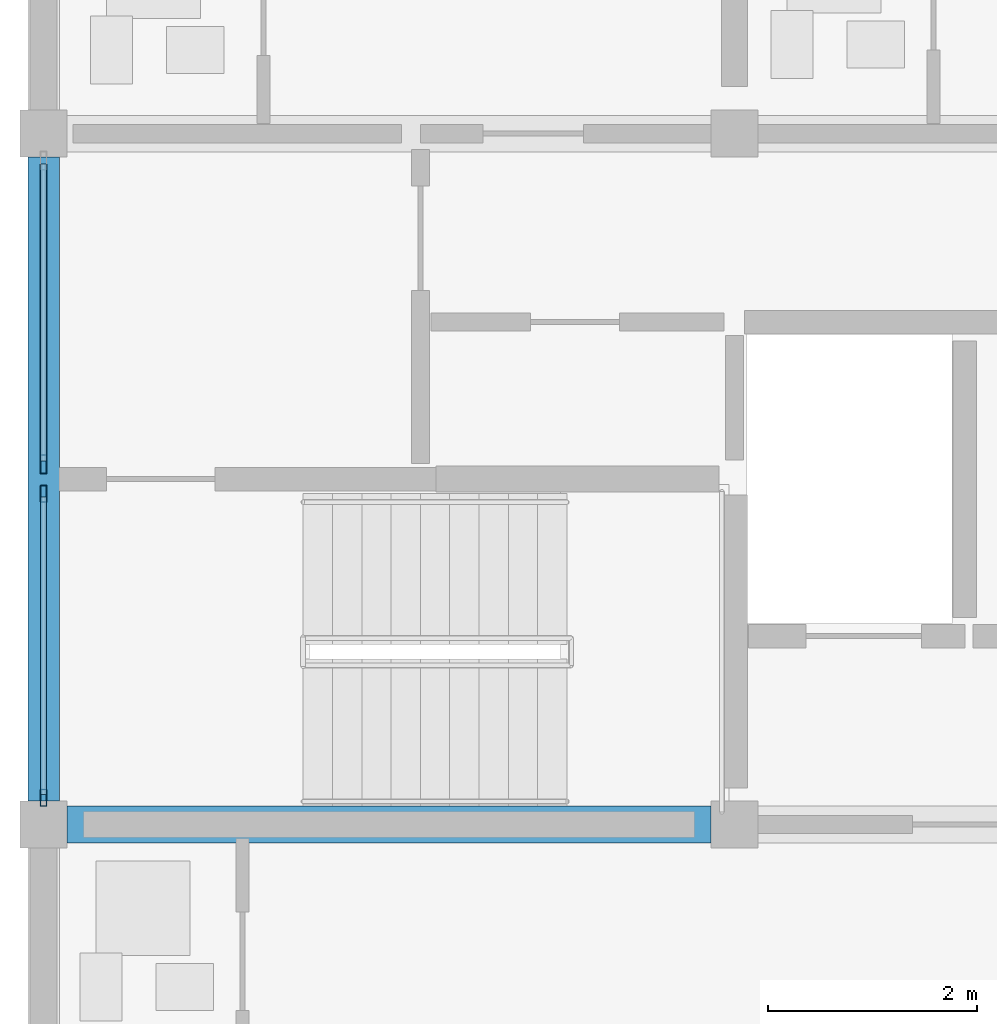
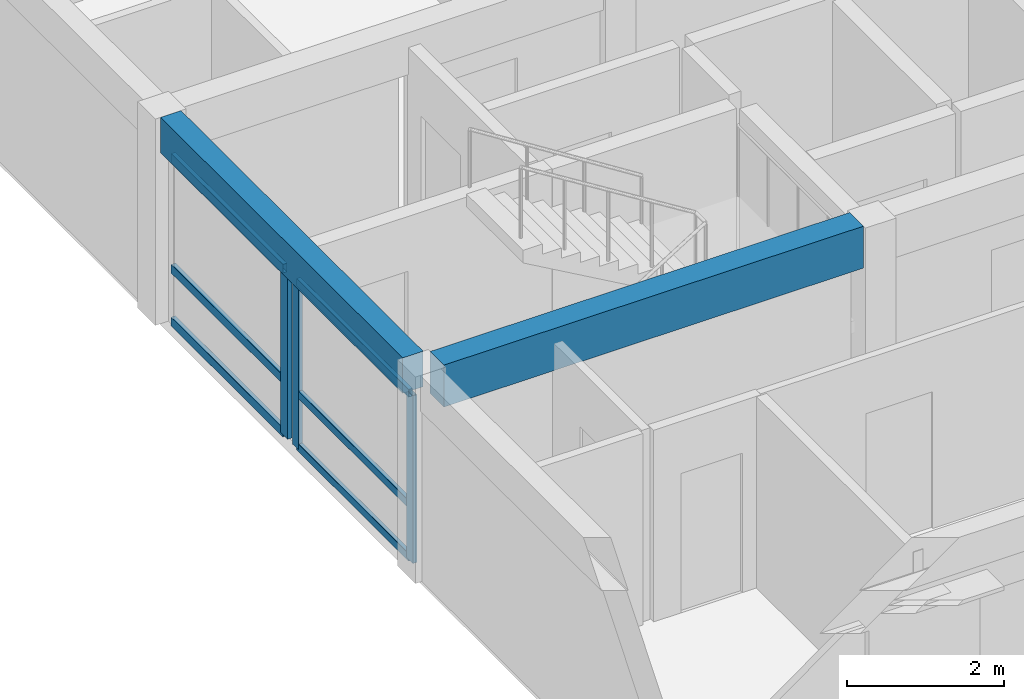
# One storey, part 8 of 37: 9 members, 2 beams, 2 elements without a shape of their own.
"""IFC4 building model written with IfcOpenShell, lengths in metres."""

from ifc_helpers import new_model, si_unit, direction, frame, origin, origin_2d, place, context, subcontext, project, spatial, rectangle, hollow_rectangle, extrude, material, material_profile, profile_set, type_object, element, aggregate, save


model = new_model("IFC4")

# Units and contexts
model_context = context("Model", 3, precision=1e-05, world=origin(), true_north=direction((0.0, 1.0)))
body_context = subcontext(model_context, "Body", "Model", "MODEL_VIEW")
ifc_project = project(units=[si_unit("LENGTHUNIT", "METRE"), si_unit("AREAUNIT", "SQUARE_METRE"), si_unit("VOLUMEUNIT", "CUBIC_METRE"), si_unit("PLANEANGLEUNIT", "RADIAN"), si_unit("MASSUNIT", "GRAM", prefix="KILO")], contexts=[model_context])

# Site, building, storey
site_placement = place(None, origin())
site = spatial("IfcSite", under=ifc_project, at=site_placement, CompositionType="ELEMENT")
building_placement = place(site_placement, origin())
building = spatial("IfcBuilding", under=site, at=building_placement, Name="Kernevlak Ridge Housing Community", CompositionType="ELEMENT")
storey_placement = place(building_placement, frame((0.0, 0.0, 37.199951171875)))
storey = spatial("IfcBuildingStorey", under=building, at=storey_placement, Name="L11", CompositionType="ELEMENT", Elevation=37.199951171875)

# Beam
ifc_material_1 = material(Name="Concrete C35/45", Category="concrete")
ifc_material_profile_1 = material_profile(ifc_material_1, rectangle(XDim=0.35009765625, YDim=0.64990234375, at=origin_2d()), Name="RC 350x650")
ifc_profile_set_1 = profile_set([ifc_material_profile_1], Name="Concrete C35/45")
beam_type_1 = type_object("IfcBeamType", Name="B-02", PredefinedType="BEAM", material=ifc_profile_set_1)
beam_1_placement = place(storey_placement, frame((15.824951171875, 82.60009765625, 2.875), z_axis=(1.0, 0.0, 0.0), x_axis=(0.0, 1.0, 0.0)))
element("IfcBeam", 1, at=beam_1_placement, inside=storey, type_object=beam_type_1, Name="Beam B-02 L11 348", PredefinedType="BEAM", context=body_context, shape_type="SweptSolid", body=[
    extrude(rectangle(XDim=0.35009765625, YDim=0.64990234375, at=origin_2d()), origin(), (0.0, 0.0, 1.0), 6.150146484375),
])

# Curtain wall, members
ifc_material_2 = material(Name="Aluminium EN AW-6060 anodised and laminated glass", Category="aluminium")
curtain_wall_type_1 = type_object("IfcCurtainWallType", Name="CW-01", PredefinedType="NOTDEFINED", material=ifc_material_2)
curtain_wall_1_placement = place(storey_placement, origin())
curtain_wall_1 = element("IfcCurtainWall", 2, at=curtain_wall_1_placement, inside=storey, type_object=curtain_wall_type_1, Name="Curtain wall CW-01 CW-L11-034", PredefinedType="NOTDEFINED")
ifc_material_3 = material(Name="Aluminium EN AW-6060 anodised", Category="aluminium")
ifc_material_profile_2 = material_profile(ifc_material_3, hollow_rectangle(XDim=0.06005859375, YDim=0.159912109375, WallThickness=0.00390625, InnerFilletRadius=0.001953125, OuterFilletRadius=0.00390625, at=origin_2d()), Name="ALU 60x160x4")
ifc_profile_set_2 = profile_set([ifc_material_profile_2], Name="Aluminium EN AW-6060 anodised")
member_type_1 = type_object("IfcMemberType", Name="MU-02", PredefinedType="MULLION", material=ifc_profile_set_2)
member_1_placement = place(storey_placement, frame((15.60009765625, 82.85498046875, 0.0), z_axis=(0.0, 0.0, 1.0), x_axis=(-1.0, 0.0, 0.0)))
member_1 = element("IfcMember", 3, at=member_1_placement, type_object=member_type_1, Name="CW-01 mullion 1", PredefinedType="MULLION", context=body_context, shape_type="SweptSolid", body=[
    extrude(hollow_rectangle(XDim=0.06005859375, YDim=0.159912109375, WallThickness=0.00390625, InnerFilletRadius=0.001953125, OuterFilletRadius=0.00390625, at=origin_2d()), origin(), (0.0, 0.0, 1.0), 2.60009765625),
])
member_2_placement = place(storey_placement, frame((15.60009765625, 85.760009765625, 0.0), z_axis=(0.0, 0.0, 1.0), x_axis=(-1.0, 0.0, 0.0)))
member_2 = element("IfcMember", 4, at=member_2_placement, type_object=member_type_1, Name="CW-01 mullion 2", PredefinedType="MULLION", context=body_context, shape_type="SweptSolid", body=[
    extrude(hollow_rectangle(XDim=0.06005859375, YDim=0.159912109375, WallThickness=0.00390625, InnerFilletRadius=0.001953125, OuterFilletRadius=0.00390625, at=origin_2d()), origin(), (0.0, 0.0, 1.0), 2.60009765625),
])

# Curtain wall, member
curtain_wall_type_2 = type_object("IfcCurtainWallType", Name="CW-06", PredefinedType="NOTDEFINED", material=ifc_material_2)
curtain_wall_2_placement = place(storey_placement, origin())
curtain_wall_2 = element("IfcCurtainWall", 5, at=curtain_wall_2_placement, inside=storey, type_object=curtain_wall_type_2, Name="Curtain wall CW-06 CW-L11-035", PredefinedType="NOTDEFINED")
ifc_material_profile_3 = material_profile(ifc_material_3, hollow_rectangle(XDim=0.06494140625, YDim=0.179931640625, WallThickness=0.00439453125, InnerFilletRadius=0.001953125, OuterFilletRadius=0.00439453125, at=origin_2d()), Name="ALU 65x180x4.5")
ifc_profile_set_3 = profile_set([ifc_material_profile_3], Name="Aluminium EN AW-6060 anodised")
member_type_2 = type_object("IfcMemberType", Name="MU-03", PredefinedType="MULLION", material=ifc_profile_set_3)
member_3_placement = place(storey_placement, frame((15.60009765625, 86.04248046875, 0.0), z_axis=(0.0, 0.0, 1.0), x_axis=(-1.0, 0.0, 0.0)))
member_3 = element("IfcMember", 6, at=member_3_placement, type_object=member_type_2, Name="CW-06 mullion 1", PredefinedType="MULLION", context=body_context, shape_type="SweptSolid", body=[
    extrude(hollow_rectangle(XDim=0.06494140625, YDim=0.179931640625, WallThickness=0.00439453125, InnerFilletRadius=0.001953125, OuterFilletRadius=0.00439453125, at=origin_2d()), origin(), (0.0, 0.0, 1.0), 2.60009765625),
])

# Beam
ifc_material_profile_4 = material_profile(ifc_material_1, rectangle(XDim=0.300048828125, YDim=0.550048828125, at=origin_2d()), Name="RC 300x550")
ifc_profile_set_4 = profile_set([ifc_material_profile_4], Name="Concrete C35/45")
beam_type_2 = type_object("IfcBeamType", Name="SP-01", PredefinedType="SPANDREL", material=ifc_profile_set_4)
beam_2_placement = place(storey_placement, frame((15.60009765625, 82.824951171875, 2.925048828125), z_axis=(0.0, 1.0, 0.0), x_axis=(-1.0, 0.0, 0.0)))
element("IfcBeam", 7, at=beam_2_placement, inside=storey, type_object=beam_type_2, Name="Beam SP-01 L11 364", PredefinedType="SPANDREL", context=body_context, shape_type="SweptSolid", body=[
    extrude(rectangle(XDim=0.300048828125, YDim=0.550048828125, at=origin_2d()), origin(), (0.0, 0.0, 1.0), 6.150146484375),
])

# Member
ifc_material_profile_5 = material_profile(ifc_material_3, hollow_rectangle(XDim=0.06005859375, YDim=0.1201171875, WallThickness=0.00390625, InnerFilletRadius=0.001953125, OuterFilletRadius=0.00390625, at=origin_2d()), Name="ALU 60x120x4")
ifc_profile_set_5 = profile_set([ifc_material_profile_5], Name="Aluminium EN AW-6060 anodised")
member_type_3 = type_object("IfcMemberType", Name="TM-02", PredefinedType="USERDEFINED", material=ifc_profile_set_5)
member_4_placement = place(storey_placement, frame((15.60009765625, 82.885009765625, 0.030029296875), z_axis=(0.0, 1.0, 0.0), x_axis=(-1.0, 0.0, 0.0)))
member_4 = element("IfcMember", 8, at=member_4_placement, type_object=member_type_3, Name="CW-01 transom 1.1", ObjectType="TRANSOM", PredefinedType="USERDEFINED", context=body_context, shape_type="SweptSolid", body=[
    extrude(hollow_rectangle(XDim=0.06005859375, YDim=0.1201171875, WallThickness=0.00390625, InnerFilletRadius=0.001953125, OuterFilletRadius=0.00390625, at=origin_2d()), origin(), (0.0, 0.0, 1.0), 2.844970703125),
])

member_5_placement = place(storey_placement, frame((15.60009765625, 82.885009765625, 0.85009765625), z_axis=(0.0, 1.0, 0.0), x_axis=(-1.0, 0.0, 0.0)))
member_5 = element("IfcMember", 9, at=member_5_placement, type_object=member_type_3, Name="CW-01 transom 1.2", ObjectType="TRANSOM", PredefinedType="USERDEFINED", context=body_context, shape_type="SweptSolid", body=[
    extrude(hollow_rectangle(XDim=0.06005859375, YDim=0.1201171875, WallThickness=0.00390625, InnerFilletRadius=0.001953125, OuterFilletRadius=0.00390625, at=origin_2d()), origin(), (0.0, 0.0, 1.0), 2.844970703125),
])

member_6_placement = place(storey_placement, frame((15.60009765625, 82.885009765625, 2.570068359375), z_axis=(0.0, 1.0, 0.0), x_axis=(-1.0, 0.0, 0.0)))
member_6 = element("IfcMember", 10, at=member_6_placement, type_object=member_type_3, Name="CW-01 transom 1.3", ObjectType="TRANSOM", PredefinedType="USERDEFINED", context=body_context, shape_type="SweptSolid", body=[
    extrude(hollow_rectangle(XDim=0.06005859375, YDim=0.1201171875, WallThickness=0.00390625, InnerFilletRadius=0.001953125, OuterFilletRadius=0.00390625, at=origin_2d()), origin(), (0.0, 0.0, 1.0), 2.844970703125),
])

aggregate(curtain_wall_1, [member_1, member_2, member_4, member_5, member_6])

ifc_material_profile_6 = material_profile(ifc_material_3, hollow_rectangle(XDim=0.06494140625, YDim=0.139892578125, WallThickness=0.00390625, InnerFilletRadius=0.001953125, OuterFilletRadius=0.00390625, at=origin_2d()), Name="ALU 65x140x4")
ifc_profile_set_6 = profile_set([ifc_material_profile_6], Name="Aluminium EN AW-6060 anodised")
member_type_4 = type_object("IfcMemberType", Name="TM-03", PredefinedType="USERDEFINED", material=ifc_profile_set_6)
member_7_placement = place(storey_placement, frame((15.60009765625, 86.074951171875, 0.032470703125), z_axis=(0.0, 1.0, 0.0), x_axis=(-1.0, 0.0, 0.0)))
member_7 = element("IfcMember", 11, at=member_7_placement, type_object=member_type_4, Name="CW-06 transom 1.1", ObjectType="TRANSOM", PredefinedType="USERDEFINED", context=body_context, shape_type="SweptSolid", body=[
    extrude(hollow_rectangle(XDim=0.06494140625, YDim=0.139892578125, WallThickness=0.00390625, InnerFilletRadius=0.001953125, OuterFilletRadius=0.00390625, at=origin_2d()), origin(), (0.0, 0.0, 1.0), 2.8349609375),
])

member_8_placement = place(storey_placement, frame((15.60009765625, 86.074951171875, 0.85009765625), z_axis=(0.0, 1.0, 0.0), x_axis=(-1.0, 0.0, 0.0)))
member_8 = element("IfcMember", 12, at=member_8_placement, type_object=member_type_4, Name="CW-06 transom 1.2", ObjectType="TRANSOM", PredefinedType="USERDEFINED", context=body_context, shape_type="SweptSolid", body=[
    extrude(hollow_rectangle(XDim=0.06494140625, YDim=0.139892578125, WallThickness=0.00390625, InnerFilletRadius=0.001953125, OuterFilletRadius=0.00390625, at=origin_2d()), origin(), (0.0, 0.0, 1.0), 2.8349609375),
])

member_9_placement = place(storey_placement, frame((15.60009765625, 86.074951171875, 2.567626953125), z_axis=(0.0, 1.0, 0.0), x_axis=(-1.0, 0.0, 0.0)))
member_9 = element("IfcMember", 13, at=member_9_placement, type_object=member_type_4, Name="CW-06 transom 1.3", ObjectType="TRANSOM", PredefinedType="USERDEFINED", context=body_context, shape_type="SweptSolid", body=[
    extrude(hollow_rectangle(XDim=0.06494140625, YDim=0.139892578125, WallThickness=0.00390625, InnerFilletRadius=0.001953125, OuterFilletRadius=0.00390625, at=origin_2d()), origin(), (0.0, 0.0, 1.0), 2.8349609375),
])

aggregate(curtain_wall_2, [member_3, member_7, member_8, member_9])

save(model, "model.ifc")
